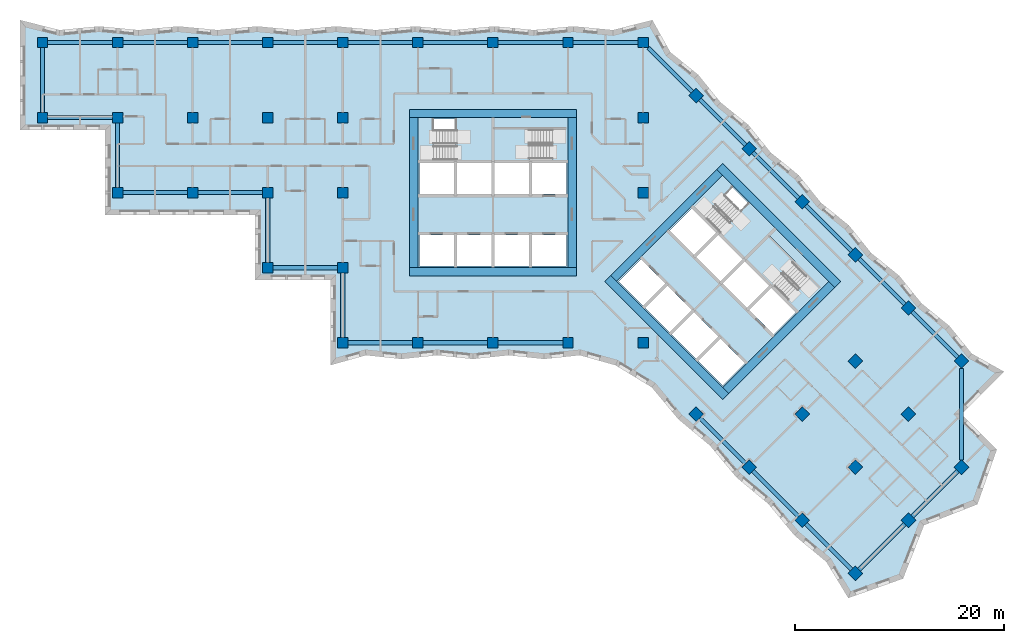
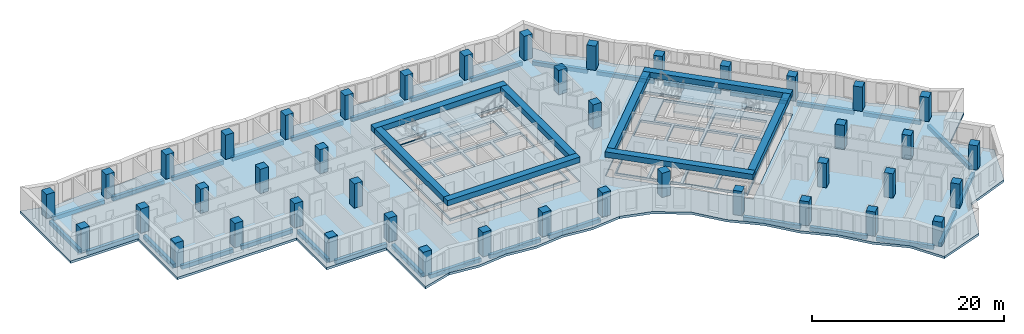
# One storey, part 1 of 12: 43 columns, 39 beams, 7 slabs, 22 openings, 4 elements without a shape of their own.
"""IFC4 building model written with IfcOpenShell, lengths in metres."""

from ifc_helpers import new_model, si_unit, direction, frame, origin, origin_2d, place, context, subcontext, project, spatial, polyline, rectangle, outline, extrude, material, layer, layer_set, material_profile, profile_set, type_object, element, aggregate, save


model = new_model("IFC4")

# Units and contexts
model_context = context("Model", 3, precision=1e-05, world=origin(), true_north=direction((0.0, 1.0)))
body_context = subcontext(model_context, "Body", "Model", "MODEL_VIEW")
ifc_project = project(units=[si_unit("LENGTHUNIT", "METRE"), si_unit("AREAUNIT", "SQUARE_METRE"), si_unit("VOLUMEUNIT", "CUBIC_METRE"), si_unit("PLANEANGLEUNIT", "RADIAN"), si_unit("MASSUNIT", "GRAM", prefix="KILO")], contexts=[model_context])

# Site, building, storey
site_placement = place(None, origin())
site = spatial("IfcSite", under=ifc_project, at=site_placement, CompositionType="ELEMENT")
building_placement = place(site_placement, origin())
building = spatial("IfcBuilding", under=site, at=building_placement, Name="Windrow Commons", CompositionType="ELEMENT")
storey_placement = place(building_placement, frame((0.0, 0.0, 88.0)))
storey = spatial("IfcBuildingStorey", under=building, at=storey_placement, Name="L23", CompositionType="ELEMENT", Elevation=88.0)

# Columns
ifc_material_1 = material(Name="Concrete C60/75", Category="concrete")
ifc_material_profile_1 = material_profile(ifc_material_1, rectangle(XDim=1.0, YDim=1.0, at=origin_2d()))
ifc_profile_set_1 = profile_set([ifc_material_profile_1], Name="Concrete C60/75")
column_type = type_object("IfcColumnType", Name="RC COLUMN 1000x1000 C60/75", PredefinedType="COLUMN", material=ifc_profile_set_1)
for number, where, z_axis, x_axis, name in (
    (1, (21.6, 64.8, 0.0), (0.0, 0.0, 1.0), (1.0, 0.0, 0.0), "C-Z2-04I"),
    (2, (21.6, 72.0, 0.0), (0.0, 0.0, 1.0), (1.0, 0.0, 0.0), "C-Z2-04J"),
    (3, (28.8, 57.6, 0.0), (0.0, 0.0, 1.0), (1.0, 0.0, 0.0), "C-Z2-05H"),
    (4, (28.8, 64.8, 0.0), (0.0, 0.0, 1.0), (1.0, 0.0, 0.0), "C-Z2-05I"),
    (5, (28.8, 72.0, 0.0), (0.0, 0.0, 1.0), (1.0, 0.0, 0.0), "C-Z2-05J"),
    (6, (36.0, 57.6, 0.0), (0.0, 0.0, 1.0), (1.0, 0.0, 0.0), "C-Z2-06H"),
    (7, (36.0, 64.8, 0.0), (0.0, 0.0, 1.0), (1.0, 0.0, 0.0), "C-Z2-06I"),
    (8, (36.0, 72.0, 0.0), (0.0, 0.0, 1.0), (1.0, 0.0, 0.0), "C-Z2-06J"),
    (9, (43.2, 50.4, 0.0), (0.0, 0.0, 1.0), (1.0, 0.0, 0.0), "C-Z2-07G"),
    (10, (43.2, 57.6, 0.0), (0.0, 0.0, 1.0), (1.0, 0.0, 0.0), "C-Z2-07H"),
    (11, (43.2, 64.8, 0.0), (0.0, 0.0, 1.0), (1.0, 0.0, 0.0), "C-Z2-07I"),
    (12, (43.2, 72.0, 0.0), (0.0, 0.0, 1.0), (1.0, 0.0, 0.0), "C-Z2-07J"),
    (13, (50.4, 43.2, 0.0), (0.0, 0.0, 1.0), (1.0, 0.0, 0.0), "C-Z2-08F"),
    (14, (50.4, 50.4, 0.0), (0.0, 0.0, 1.0), (1.0, 0.0, 0.0), "C-Z2-08G"),
    (15, (50.4, 57.6, 0.0), (0.0, 0.0, 1.0), (1.0, 0.0, 0.0), "C-Z2-08H"),
    (16, (50.4, 64.8, 0.0), (0.0, 0.0, 1.0), (1.0, 0.0, 0.0), "C-Z2-08I"),
    (17, (50.4, 72.0, 0.0), (0.0, 0.0, 1.0), (1.0, 0.0, 0.0), "C-Z2-08J"),
    (18, (57.6, 43.2, 0.0), (0.0, 0.0, 1.0), (1.0, 0.0, 0.0), "C-Z2-09F"),
    (19, (57.6, 72.0, 0.0), (0.0, 0.0, 1.0), (1.0, 0.0, 0.0), "C-Z2-09J"),
    (20, (64.8, 43.2, 0.0), (0.0, 0.0, 1.0), (1.0, 0.0, 0.0), "C-Z2-10F"),
    (21, (64.8, 72.0, 0.0), (0.0, 0.0, 1.0), (1.0, 0.0, 0.0), "C-Z2-10J"),
    (22, (72.0, 43.2, 0.0), (0.0, 0.0, 1.0), (1.0, 0.0, 0.0), "C-Z2-11F"),
    (23, (72.0, 72.0, 0.0), (0.0, 0.0, 1.0), (1.0, 0.0, 0.0), "C-Z2-11J"),
    (24, (79.2, 43.2, 0.0), (0.0, 0.0, 1.0), (1.0, 0.0, 0.0), "C-Z2-12F"),
    (25, (79.2, 57.6, 0.0), (0.0, 0.0, 1.0), (1.0, 0.0, 0.0), "C-Z2-12H"),
    (26, (79.2, 64.8, 0.0), (0.0, 0.0, 1.0), (1.0, 0.0, 0.0), "C-Z2-12I"),
    (27, (79.2, 72.0, 0.0), (0.0, 0.0, 1.0), (1.0, 0.0, 0.0), "C-Z2-12J"),
    (28, (84.2912, 66.9088, 0.0), (0.0, 0.0, 1.0), (0.7071067812, -0.7071067812, 0.0), "C-Z2-P2Q"),
    (29, (89.3823, 61.8177, 0.0), (0.0, 0.0, 1.0), (0.7071067812, -0.7071067812, 0.0), "C-Z2-P3Q"),
    (30, (94.4735, 56.7265, 0.0), (0.0, 0.0, 1.0), (0.7071067812, -0.7071067812, 0.0), "C-Z2-P4Q"),
    (31, (99.5647, 51.6353, 0.0), (0.0, 0.0, 1.0), (0.7071067812, -0.7071067812, 0.0), "C-Z2-P5Q"),
    (32, (84.2912, 36.3618, 0.0), (0.0, 0.0, 1.0), (0.7071067812, -0.7071067812, 0.0), "C-Z2-P5T"),
    (33, (104.6558, 46.5442, 0.0), (0.0, 0.0, 1.0), (0.7071067812, -0.7071067812, 0.0), "C-Z2-P6Q"),
    (34, (99.5647, 41.453, 0.0), (0.0, 0.0, 1.0), (0.7071067812, -0.7071067812, 0.0), "C-Z2-P6R"),
    (35, (94.4735, 36.3618, 0.0), (0.0, 0.0, 1.0), (0.7071067812, -0.7071067812, 0.0), "C-Z2-P6S"),
    (36, (89.3823, 31.2706, 0.0), (0.0, 0.0, 1.0), (0.7071067812, -0.7071067812, 0.0), "C-Z2-P6T"),
    (37, (109.747, 41.453, 0.0), (0.0, 0.0, 1.0), (0.7071067812, -0.7071067812, 0.0), "C-Z2-P7Q"),
    (38, (104.6558, 36.3618, 0.0), (0.0, 0.0, 1.0), (0.7071067812, -0.7071067812, 0.0), "C-Z2-P7R"),
    (39, (99.5647, 31.2706, 0.0), (0.0, 0.0, 1.0), (0.7071067812, -0.7071067812, 0.0), "C-Z2-P7S"),
    (40, (94.4735, 26.1795, 0.0), (0.0, 0.0, 1.0), (0.7071067812, -0.7071067812, 0.0), "C-Z2-P7T"),
    (41, (109.747, 31.2706, 0.0), (0.0, 0.0, 1.0), (0.7071067812, -0.7071067812, 0.0), "C-Z2-P8R"),
    (42, (104.6558, 26.1795, 0.0), (0.0, 0.0, 1.0), (0.7071067812, -0.7071067812, 0.0), "C-Z2-P8S"),
    (43, (99.5647, 21.0883, 0.0), (0.0, 0.0, 1.0), (0.7071067812, -0.7071067812, 0.0), "C-Z2-P8T"),
):
    element("IfcColumn", number, at=place(storey_placement, frame(where, z_axis=z_axis, x_axis=x_axis)), inside=storey, type_object=column_type, Name=name, PredefinedType="COLUMN", context=body_context, shape_type="SweptSolid", body=[
        extrude(rectangle(XDim=1.0, YDim=1.0, at=origin_2d()), origin(), (0.0, 0.0, 1.0), 3.1),
    ])

# Beams
ifc_material_2 = material(Name="Concrete C50/60", Category="concrete")
ifc_material_profile_2 = material_profile(ifc_material_2, rectangle(XDim=0.8, YDim=0.7, at=origin_2d()))
ifc_profile_set_2 = profile_set([ifc_material_profile_2], Name="Concrete C50/60")
beam_type_1 = type_object("IfcBeamType", Name="RC COUPLING BEAM 800x700 C50/60", PredefinedType="LINTEL", material=ifc_profile_set_2)
for number, where, z_axis, x_axis, name in (
    (44, (56.8, 50.0, 2.75), (1.0, 0.0, 0.0), (0.0, 1.0, 0.0), "Core A coupling beam outer-S"),
    (45, (56.8, 65.2, 2.75), (1.0, 0.0, 0.0), (0.0, 1.0, 0.0), "Core A coupling beam outer-N"),
):
    element("IfcBeam", number, at=place(storey_placement, frame(where, z_axis=z_axis, x_axis=x_axis)), inside=storey, type_object=beam_type_1, Name=name, PredefinedType="LINTEL", context=body_context, shape_type="SweptSolid", body=[
        extrude(rectangle(XDim=0.8, YDim=0.7, at=origin_2d()), origin(), (0.0, 0.0, 1.0), 16.0),
    ])
for number, where, z_axis, x_axis, name in (
    (46, (57.2, 50.4, 2.75), (0.0, 1.0, 0.0), (-1.0, 0.0, 0.0), "Core A coupling beam outer-W"),
    (47, (72.4, 50.4, 2.75), (0.0, 1.0, 0.0), (-1.0, 0.0, 0.0), "Core A coupling beam outer-E"),
):
    element("IfcBeam", number, at=place(storey_placement, frame(where, z_axis=z_axis, x_axis=x_axis)), inside=storey, type_object=beam_type_1, Name=name, PredefinedType="LINTEL", context=body_context, shape_type="SweptSolid", body=[
        extrude(rectangle(XDim=0.8, YDim=0.7, at=origin_2d()), origin(), (0.0, 0.0, 1.0), 14.4),
    ])
for number, where, z_axis, x_axis, name in (
    (48, (75.8059, 49.3726, 2.75), (0.7071067812, -0.7071067812, 0.0), (0.7071067812, 0.7071067812, 0.0), "Core B coupling beam outer-S"),
    (49, (86.5539, 60.1206, 2.75), (0.7071067812, -0.7071067812, 0.0), (0.7071067812, 0.7071067812, 0.0), "Core B coupling beam outer-N"),
):
    element("IfcBeam", number, at=place(storey_placement, frame(where, z_axis=z_axis, x_axis=x_axis)), inside=storey, type_object=beam_type_1, Name=name, PredefinedType="LINTEL", context=body_context, shape_type="SweptSolid", body=[
        extrude(rectangle(XDim=0.8, YDim=0.7, at=origin_2d()), origin(), (0.0, 0.0, 1.0), 16.0),
    ])
for number, where, z_axis, x_axis, name in (
    (50, (76.3716, 49.3726, 2.75), (0.7071067812, 0.7071067812, 0.0), (-0.7071067812, 0.7071067812, 0.0), "Core B coupling beam outer-W"),
    (51, (87.1196, 38.6246, 2.75), (0.7071067812, 0.7071067812, 0.0), (-0.7071067812, 0.7071067812, 0.0), "Core B coupling beam outer-E"),
):
    element("IfcBeam", number, at=place(storey_placement, frame(where, z_axis=z_axis, x_axis=x_axis)), inside=storey, type_object=beam_type_1, Name=name, PredefinedType="LINTEL", context=body_context, shape_type="SweptSolid", body=[
        extrude(rectangle(XDim=0.8, YDim=0.7, at=origin_2d()), origin(), (0.0, 0.0, 1.0), 14.3999),
    ])
ifc_material_3 = material(Name="Concrete C50/60", Category="concrete")
ifc_material_profile_3 = material_profile(ifc_material_3, rectangle(XDim=0.4, YDim=0.5, at=origin_2d()))
ifc_profile_set_3 = profile_set([ifc_material_profile_3], Name="Concrete C50/60")
beam_type_2 = type_object("IfcBeamType", Name="RC EDGE BEAM 400x500 C50/60", PredefinedType="SPANDREL", material=ifc_profile_set_3)
for number, where, z_axis, x_axis, name in (
    (52, (35.5, 57.6, -0.55), (-1.0, 0.0, 0.0), (0.0, -1.0, 0.0), "Edge beam L23 001"),
    (53, (28.8, 58.1, -0.55), (0.0, 1.0, 0.0), (-1.0, 0.0, 0.0), "Edge beam L23 002"),
    (54, (28.3, 64.8, -0.55), (-1.0, 0.0, 0.0), (0.0, -1.0, 0.0), "Edge beam L23 003"),
    (55, (21.6, 65.3, -0.55), (0.0, 1.0, 0.0), (-1.0, 0.0, 0.0), "Edge beam L23 004"),
    (56, (22.1, 72.0, -0.55), (1.0, 0.0, 0.0), (0.0, 1.0, 0.0), "Edge beam L23 005"),
    (57, (29.3, 72.0, -0.55), (1.0, 0.0, 0.0), (0.0, 1.0, 0.0), "Edge beam L23 006"),
    (58, (36.5, 72.0, -0.55), (1.0, 0.0, 0.0), (0.0, 1.0, 0.0), "Edge beam L23 007"),
    (59, (43.7, 72.0, -0.55), (1.0, 0.0, 0.0), (0.0, 1.0, 0.0), "Edge beam L23 008"),
    (60, (50.9, 72.0, -0.55), (1.0, 0.0, 0.0), (0.0, 1.0, 0.0), "Edge beam L23 009"),
    (61, (58.1, 72.0, -0.55), (1.0, 0.0, 0.0), (0.0, 1.0, 0.0), "Edge beam L23 010"),
    (62, (65.3, 72.0, -0.55), (1.0, 0.0, 0.0), (0.0, 1.0, 0.0), "Edge beam L23 011"),
    (63, (72.5, 72.0, -0.55), (1.0, 0.0, 0.0), (0.0, 1.0, 0.0), "Edge beam L23 012"),
):
    element("IfcBeam", number, at=place(storey_placement, frame(where, z_axis=z_axis, x_axis=x_axis)), inside=storey, type_object=beam_type_2, Name=name, PredefinedType="SPANDREL", context=body_context, shape_type="SweptSolid", body=[
        extrude(rectangle(XDim=0.4, YDim=0.5, at=origin_2d()), origin(), (0.0, 0.0, 1.0), 6.2),
    ])
beam_1_placement = place(storey_placement, frame((79.7, 71.5, -0.55), z_axis=(0.7071067812, -0.7071067812, 0.0), x_axis=(0.7071067812, 0.7071067812, 0.0)))
element("IfcBeam", 64, at=beam_1_placement, inside=storey, type_object=beam_type_2, Name="Edge beam L23 013", PredefinedType="SPANDREL", context=body_context, shape_type="SweptSolid", body=[
    extrude(rectangle(XDim=0.4, YDim=0.5, at=origin_2d()), origin(), (0.0, 0.0, 1.0), 5.9929),
])
beam_2_placement = place(storey_placement, frame((84.6448, 66.5552, -0.55), z_axis=(0.7071067812, -0.7071067812, 0.0), x_axis=(0.7071067812, 0.7071067812, 0.0)))
element("IfcBeam", 65, at=beam_2_placement, inside=storey, type_object=beam_type_2, Name="Edge beam L23 014", PredefinedType="SPANDREL", context=body_context, shape_type="SweptSolid", body=[
    extrude(rectangle(XDim=0.4, YDim=0.5, at=origin_2d()), origin(), (0.0, 0.0, 1.0), 6.1998),
])
for number, where, z_axis, x_axis, name in (
    (66, (89.7359, 61.4641, -0.55), (0.7071067812, -0.7071067812, 0.0), (0.7071067812, 0.7071067812, 0.0), "Edge beam L23 015"),
    (67, (94.8271, 56.3729, -0.55), (0.7071067812, -0.7071067812, 0.0), (0.7071067812, 0.7071067812, 0.0), "Edge beam L23 016"),
):
    element("IfcBeam", number, at=place(storey_placement, frame(where, z_axis=z_axis, x_axis=x_axis)), inside=storey, type_object=beam_type_2, Name=name, PredefinedType="SPANDREL", context=body_context, shape_type="SweptSolid", body=[
        extrude(rectangle(XDim=0.4, YDim=0.5, at=origin_2d()), origin(), (0.0, 0.0, 1.0), 6.1999),
    ])
beam_3_placement = place(storey_placement, frame((99.9183, 51.2817, -0.55), z_axis=(0.7071067812, -0.7071067812, 0.0), x_axis=(0.7071067812, 0.7071067812, 0.0)))
element("IfcBeam", 68, at=beam_3_placement, inside=storey, type_object=beam_type_2, Name="Edge beam L23 017", PredefinedType="SPANDREL", context=body_context, shape_type="SweptSolid", body=[
    extrude(rectangle(XDim=0.4, YDim=0.5, at=origin_2d()), origin(), (0.0, 0.0, 1.0), 6.1998),
])
beam_4_placement = place(storey_placement, frame((105.0094, 46.1906, -0.55), z_axis=(0.7071067812, -0.7071067812, 0.0), x_axis=(0.7071067812, 0.7071067812, 0.0)))
element("IfcBeam", 69, at=beam_4_placement, inside=storey, type_object=beam_type_2, Name="Edge beam L23 018", PredefinedType="SPANDREL", context=body_context, shape_type="SweptSolid", body=[
    extrude(rectangle(XDim=0.4, YDim=0.5, at=origin_2d()), origin(), (0.0, 0.0, 1.0), 6.1999),
])
beam_5_placement = place(storey_placement, frame((109.747, 40.7459, -0.55), z_axis=(0.0, -1.0, 0.0), x_axis=(1.0, 0.0, 0.0)))
element("IfcBeam", 70, at=beam_5_placement, inside=storey, type_object=beam_type_2, Name="Edge beam L23 019", PredefinedType="SPANDREL", context=body_context, shape_type="SweptSolid", body=[
    extrude(rectangle(XDim=0.4, YDim=0.5, at=origin_2d()), origin(), (0.0, 0.0, 1.0), 8.7682),
])
for number, where, z_axis, x_axis, name in (
    (71, (109.3934, 30.917, -0.55), (-0.7071148459, -0.7070987164, 0.0), (0.7070987164, -0.7071148459, 0.0), "Edge beam L23 020"),
    (72, (104.3022, 25.8259, -0.55), (-0.7070987164, -0.7071148459, 0.0), (0.7071148459, -0.7070987164, 0.0), "Edge beam L23 021"),
):
    element("IfcBeam", number, at=place(storey_placement, frame(where, z_axis=z_axis, x_axis=x_axis)), inside=storey, type_object=beam_type_2, Name=name, PredefinedType="SPANDREL", context=body_context, shape_type="SweptSolid", body=[
        extrude(rectangle(XDim=0.4, YDim=0.5, at=origin_2d()), origin(), (0.0, 0.0, 1.0), 6.1998),
    ])
beam_6_placement = place(storey_placement, frame((99.2111, 21.4419, -0.55), z_axis=(-0.7071067812, 0.7071067812, 0.0), x_axis=(-0.7071067812, -0.7071067812, 0.0)))
element("IfcBeam", 73, at=beam_6_placement, inside=storey, type_object=beam_type_2, Name="Edge beam L23 022", PredefinedType="SPANDREL", context=body_context, shape_type="SweptSolid", body=[
    extrude(rectangle(XDim=0.4, YDim=0.5, at=origin_2d()), origin(), (0.0, 0.0, 1.0), 6.1999),
])
for number, where, z_axis, x_axis, name in (
    (74, (94.1199, 26.5331, -0.55), (-0.7071148459, 0.7070987164, 0.0), (-0.7070987164, -0.7071148459, 0.0), "Edge beam L23 023"),
    (75, (89.0287, 31.6242, -0.55), (-0.7070987164, 0.7071148459, 0.0), (-0.7071148459, -0.7070987164, 0.0), "Edge beam L23 024"),
):
    element("IfcBeam", number, at=place(storey_placement, frame(where, z_axis=z_axis, x_axis=x_axis)), inside=storey, type_object=beam_type_2, Name=name, PredefinedType="SPANDREL", context=body_context, shape_type="SweptSolid", body=[
        extrude(rectangle(XDim=0.4, YDim=0.5, at=origin_2d()), origin(), (0.0, 0.0, 1.0), 6.1998),
    ])
for number, where, z_axis, x_axis, name in (
    (76, (71.5, 43.2, -0.55), (-1.0, 0.0, 0.0), (0.0, -1.0, 0.0), "Edge beam L23 025"),
    (77, (64.3, 43.2, -0.55), (-1.0, 0.0, 0.0), (0.0, -1.0, 0.0), "Edge beam L23 026"),
    (78, (57.1, 43.2, -0.55), (-1.0, 0.0, 0.0), (0.0, -1.0, 0.0), "Edge beam L23 027"),
    (79, (50.4, 43.7, -0.55), (0.0, 1.0, 0.0), (-1.0, 0.0, 0.0), "Edge beam L23 028"),
    (80, (49.9, 50.4, -0.55), (-1.0, 0.0, 0.0), (0.0, -1.0, 0.0), "Edge beam L23 029"),
    (81, (43.2, 50.9, -0.55), (0.0, 1.0, 0.0), (-1.0, 0.0, 0.0), "Edge beam L23 030"),
    (82, (42.7, 57.6, -0.55), (-1.0, 0.0, 0.0), (0.0, -1.0, 0.0), "Edge beam L23 031"),
):
    element("IfcBeam", number, at=place(storey_placement, frame(where, z_axis=z_axis, x_axis=x_axis)), inside=storey, type_object=beam_type_2, Name=name, PredefinedType="SPANDREL", context=body_context, shape_type="SweptSolid", body=[
        extrude(rectangle(XDim=0.4, YDim=0.5, at=origin_2d()), origin(), (0.0, 0.0, 1.0), 6.2),
    ])

# Slab, openings
ifc_material_4 = material(Name="Concrete C50/60", Category="concrete")
ifc_layer_1 = layer(ifc_material_4, 0.3)
ifc_layer_set_1 = layer_set([ifc_layer_1], Name="CORE FLOOR SLAB 300 C50/60")
slab_type_1 = type_object("IfcSlabType", Name="CORE FLOOR SLAB 300 C50/60", PredefinedType="FLOOR", material=ifc_layer_set_1)
placement_1 = place(storey_placement, frame((0.0, 0.0, -0.3)))
slab_1 = element("IfcSlab", 83, at=placement_1, inside=storey, type_object=slab_type_1, Name="S-L23-core-A", PredefinedType="FLOOR", context=body_context, shape_type="SweptSolid", body=[
    extrude(outline(polyline([(57.6, 50.4), (72.0, 50.4), (72.0, 64.8), (57.6, 64.8), (57.6, 50.4)]), holes=[polyline([(57.75, 50.55), (61.05, 50.55), (61.05, 53.55), (57.75, 53.55), (57.75, 50.55)]), polyline([(61.35, 50.55), (64.65, 50.55), (64.65, 53.55), (61.35, 53.55), (61.35, 50.55)]), polyline([(64.95, 50.55), (68.25, 50.55), (68.25, 53.55), (64.95, 53.55), (64.95, 50.55)]), polyline([(68.55, 50.55), (71.85, 50.55), (71.85, 53.55), (68.55, 53.55), (68.55, 50.55)]), polyline([(57.75, 57.45), (61.05, 57.45), (61.05, 60.45), (57.75, 60.45), (57.75, 57.45)]), polyline([(61.35, 57.45), (64.65, 57.45), (64.65, 60.45), (61.35, 60.45), (61.35, 57.45)]), polyline([(64.95, 57.45), (68.25, 57.45), (68.25, 60.45), (64.95, 60.45), (64.95, 57.45)]), polyline([(68.55, 57.45), (71.85, 57.45), (71.85, 60.45), (68.55, 60.45), (68.55, 57.45)]), polyline([(59.1, 60.75), (64.65, 60.75), (64.65, 64.65), (59.1, 64.65), (59.1, 60.75)]), polyline([(64.95, 60.75), (70.5, 60.75), (70.5, 63.705), (64.95, 63.705), (64.95, 60.75)])]), origin(), (0.0, 0.0, 1.0), 0.3),
])
opening_1_placement = place(placement_1, origin())
element("IfcOpeningElement", 84, at=opening_1_placement, cuts=slab_1, Name="Slab opening S-L23-core-A 1", PredefinedType="OPENING", context=body_context, shape_type="SweptSolid", body=[
    extrude(outline(polyline([(57.755, 50.555), (57.755, 53.545), (61.045, 53.545), (61.045, 50.555), (57.755, 50.555)])), origin(), (0.0, 0.0, 1.0), 0.3),
])
opening_2_placement = place(placement_1, origin())
element("IfcOpeningElement", 85, at=opening_2_placement, cuts=slab_1, Name="Slab opening S-L23-core-A 2", PredefinedType="OPENING", context=body_context, shape_type="SweptSolid", body=[
    extrude(outline(polyline([(61.355, 50.555), (61.355, 53.545), (64.645, 53.545), (64.645, 50.555), (61.355, 50.555)])), origin(), (0.0, 0.0, 1.0), 0.3),
])
opening_3_placement = place(placement_1, origin())
element("IfcOpeningElement", 86, at=opening_3_placement, cuts=slab_1, Name="Slab opening S-L23-core-A 3", PredefinedType="OPENING", context=body_context, shape_type="SweptSolid", body=[
    extrude(outline(polyline([(64.955, 50.555), (64.955, 53.545), (68.245, 53.545), (68.245, 50.555), (64.955, 50.555)])), origin(), (0.0, 0.0, 1.0), 0.3),
])
opening_4_placement = place(placement_1, origin())
element("IfcOpeningElement", 87, at=opening_4_placement, cuts=slab_1, Name="Slab opening S-L23-core-A 4", PredefinedType="OPENING", context=body_context, shape_type="SweptSolid", body=[
    extrude(outline(polyline([(68.555, 50.555), (68.555, 53.545), (71.845, 53.545), (71.845, 50.555), (68.555, 50.555)])), origin(), (0.0, 0.0, 1.0), 0.3),
])
opening_5_placement = place(placement_1, origin())
element("IfcOpeningElement", 88, at=opening_5_placement, cuts=slab_1, Name="Slab opening S-L23-core-A 5", PredefinedType="OPENING", context=body_context, shape_type="SweptSolid", body=[
    extrude(outline(polyline([(57.755, 57.455), (57.755, 60.445), (61.045, 60.445), (61.045, 57.455), (57.755, 57.455)])), origin(), (0.0, 0.0, 1.0), 0.3),
])
opening_6_placement = place(placement_1, origin())
element("IfcOpeningElement", 89, at=opening_6_placement, cuts=slab_1, Name="Slab opening S-L23-core-A 6", PredefinedType="OPENING", context=body_context, shape_type="SweptSolid", body=[
    extrude(outline(polyline([(61.355, 57.455), (61.355, 60.445), (64.645, 60.445), (64.645, 57.455), (61.355, 57.455)])), origin(), (0.0, 0.0, 1.0), 0.3),
])
opening_7_placement = place(placement_1, origin())
element("IfcOpeningElement", 90, at=opening_7_placement, cuts=slab_1, Name="Slab opening S-L23-core-A 7", PredefinedType="OPENING", context=body_context, shape_type="SweptSolid", body=[
    extrude(outline(polyline([(64.955, 57.455), (64.955, 60.445), (68.245, 60.445), (68.245, 57.455), (64.955, 57.455)])), origin(), (0.0, 0.0, 1.0), 0.3),
])
opening_8_placement = place(placement_1, origin())
element("IfcOpeningElement", 91, at=opening_8_placement, cuts=slab_1, Name="Slab opening S-L23-core-A 8", PredefinedType="OPENING", context=body_context, shape_type="SweptSolid", body=[
    extrude(outline(polyline([(68.555, 57.455), (68.555, 60.445), (71.845, 60.445), (71.845, 57.455), (68.555, 57.455)])), origin(), (0.0, 0.0, 1.0), 0.3),
])
opening_9_placement = place(placement_1, origin())
element("IfcOpeningElement", 92, at=opening_9_placement, cuts=slab_1, Name="Slab opening S-L23-core-A 9", PredefinedType="OPENING", context=body_context, shape_type="SweptSolid", body=[
    extrude(outline(polyline([(59.105, 60.755), (59.105, 64.645), (64.645, 64.645), (64.645, 60.755), (59.105, 60.755)])), origin(), (0.0, 0.0, 1.0), 0.3),
])
opening_10_placement = place(placement_1, origin())
element("IfcOpeningElement", 93, at=opening_10_placement, cuts=slab_1, Name="Slab opening S-L23-core-A 10", PredefinedType="OPENING", context=body_context, shape_type="SweptSolid", body=[
    extrude(outline(polyline([(64.955, 60.755), (64.955, 63.7), (70.495, 63.7), (70.495, 60.755), (64.955, 60.755)])), origin(), (0.0, 0.0, 1.0), 0.3),
])

slab_2 = element("IfcSlab", 94, at=placement_1, inside=storey, type_object=slab_type_1, Name="S-L23-core-B", PredefinedType="FLOOR", context=body_context, shape_type="SweptSolid", body=[
    extrude(outline(polyline([(76.6544, 49.0897), (86.8368, 38.9074), (97.0191, 49.0897), (86.8368, 59.2721), (76.6544, 49.0897)]), holes=[polyline([(76.8665, 49.0897), (79.2, 46.7563), (81.3213, 48.8776), (78.9879, 51.2111), (76.8665, 49.0897)]), polyline([(79.4121, 46.5442), (81.7456, 44.2107), (83.8669, 46.332), (81.5335, 48.6655), (79.4121, 46.5442)]), polyline([(81.9577, 43.9986), (84.2912, 41.6651), (86.4125, 43.7864), (84.079, 46.1199), (81.9577, 43.9986)]), polyline([(84.5033, 41.453), (86.8368, 39.1195), (88.9581, 41.2409), (86.6246, 43.5743), (84.5033, 41.453)]), polyline([(81.7456, 53.9688), (84.079, 51.6353), (86.2004, 53.7566), (83.8669, 56.0901), (81.7456, 53.9688)]), polyline([(84.2912, 51.4232), (86.6246, 49.0897), (88.7459, 51.2111), (86.4125, 53.5445), (84.2912, 51.4232)]), polyline([(86.8368, 48.8776), (89.1702, 46.5442), (91.2915, 48.6655), (88.9581, 50.9989), (86.8368, 48.8776)]), polyline([(89.3823, 46.332), (91.7158, 43.9986), (93.8371, 46.1199), (91.5037, 48.4533), (89.3823, 46.332)]), polyline([(85.0336, 55.3476), (88.9581, 51.4232), (91.7158, 54.1809), (87.7913, 58.1054), (85.0336, 55.3476)]), polyline([(89.1702, 51.2111), (93.0946, 47.2866), (95.1841, 49.3761), (91.2597, 53.3006), (89.1702, 51.2111)])]), origin(), (0.0, 0.0, 1.0), 0.3),
])
opening_11_placement = place(placement_1, origin())
element("IfcOpeningElement", 95, at=opening_11_placement, cuts=slab_2, Name="Slab opening S-L23-core-B 1", PredefinedType="OPENING", context=body_context, shape_type="SweptSolid", body=[
    extrude(outline(polyline([(76.8736, 49.0897), (78.9879, 51.204), (81.3142, 48.8776), (79.2, 46.7634), (76.8736, 49.0897)])), origin(), (0.0, 0.0, 1.0), 0.3),
])
opening_12_placement = place(placement_1, origin())
element("IfcOpeningElement", 96, at=opening_12_placement, cuts=slab_2, Name="Slab opening S-L23-core-B 2", PredefinedType="OPENING", context=body_context, shape_type="SweptSolid", body=[
    extrude(outline(polyline([(79.4192, 46.5442), (81.5335, 48.6584), (83.8598, 46.332), (81.7456, 44.2178), (79.4192, 46.5442)])), origin(), (0.0, 0.0, 1.0), 0.3),
])
opening_13_placement = place(placement_1, origin())
element("IfcOpeningElement", 97, at=opening_13_placement, cuts=slab_2, Name="Slab opening S-L23-core-B 3", PredefinedType="OPENING", context=body_context, shape_type="SweptSolid", body=[
    extrude(outline(polyline([(81.9648, 43.9986), (84.079, 46.1128), (86.4054, 43.7864), (84.2912, 41.6722), (81.9648, 43.9986)])), origin(), (0.0, 0.0, 1.0), 0.3),
])
opening_14_placement = place(placement_1, origin())
element("IfcOpeningElement", 98, at=opening_14_placement, cuts=slab_2, Name="Slab opening S-L23-core-B 4", PredefinedType="OPENING", context=body_context, shape_type="SweptSolid", body=[
    extrude(outline(polyline([(84.5104, 41.453), (86.6246, 43.5672), (88.951, 41.2409), (86.8368, 39.1266), (84.5104, 41.453)])), origin(), (0.0, 0.0, 1.0), 0.3),
])
opening_15_placement = place(placement_1, origin())
element("IfcOpeningElement", 99, at=opening_15_placement, cuts=slab_2, Name="Slab opening S-L23-core-B 5", PredefinedType="OPENING", context=body_context, shape_type="SweptSolid", body=[
    extrude(outline(polyline([(81.7527, 53.9688), (83.8669, 56.083), (86.1933, 53.7566), (84.079, 51.6424), (81.7527, 53.9688)])), origin(), (0.0, 0.0, 1.0), 0.3),
])
opening_16_placement = place(placement_1, origin())
element("IfcOpeningElement", 100, at=opening_16_placement, cuts=slab_2, Name="Slab opening S-L23-core-B 6", PredefinedType="OPENING", context=body_context, shape_type="SweptSolid", body=[
    extrude(outline(polyline([(84.2983, 51.4232), (86.4125, 53.5374), (88.7388, 51.2111), (86.6246, 49.0968), (84.2983, 51.4232)])), origin(), (0.0, 0.0, 1.0), 0.3),
])
opening_17_placement = place(placement_1, origin())
element("IfcOpeningElement", 101, at=opening_17_placement, cuts=slab_2, Name="Slab opening S-L23-core-B 7", PredefinedType="OPENING", context=body_context, shape_type="SweptSolid", body=[
    extrude(outline(polyline([(86.8439, 48.8776), (88.9581, 50.9918), (91.2844, 48.6655), (89.1702, 46.5513), (86.8439, 48.8776)])), origin(), (0.0, 0.0, 1.0), 0.3),
])
opening_18_placement = place(placement_1, origin())
element("IfcOpeningElement", 102, at=opening_18_placement, cuts=slab_2, Name="Slab opening S-L23-core-B 8", PredefinedType="OPENING", context=body_context, shape_type="SweptSolid", body=[
    extrude(outline(polyline([(89.3894, 46.332), (91.5037, 48.4462), (93.83, 46.1199), (91.7158, 44.0057), (89.3894, 46.332)])), origin(), (0.0, 0.0, 1.0), 0.3),
])
opening_19_placement = place(placement_1, origin())
element("IfcOpeningElement", 103, at=opening_19_placement, cuts=slab_2, Name="Slab opening S-L23-core-B 9", PredefinedType="OPENING", context=body_context, shape_type="SweptSolid", body=[
    extrude(outline(polyline([(85.0407, 55.3476), (87.7913, 58.0983), (91.7087, 54.1809), (88.9581, 51.4303), (85.0407, 55.3476)])), origin(), (0.0, 0.0, 1.0), 0.3),
])
opening_20_placement = place(placement_1, origin())
element("IfcOpeningElement", 104, at=opening_20_placement, cuts=slab_2, Name="Slab opening S-L23-core-B 10", PredefinedType="OPENING", context=body_context, shape_type="SweptSolid", body=[
    extrude(outline(polyline([(89.1773, 51.2111), (91.2597, 53.2935), (95.177, 49.3761), (93.0946, 47.2937), (89.1773, 51.2111)])), origin(), (0.0, 0.0, 1.0), 0.3),
])

# Stair, slab
ifc_material_5 = material(Name="Concrete C40/50", Category="concrete")
stair_type = type_object("IfcStairType", Name="Core stair", PredefinedType="HALF_TURN_STAIR", material=ifc_material_5)
placement_2 = place(storey_placement, origin())
stair_1 = element("IfcStair", 105, at=placement_2, inside=storey, type_object=stair_type, Name="L23 Exit stair A1 core A", PredefinedType="HALF_TURN_STAIR")
ifc_material_6 = material(Name="Concrete C40/50", Category="concrete")
ifc_layer_2 = layer(ifc_material_6, 0.2)
ifc_layer_set_2 = layer_set([ifc_layer_2], Name="Core stair landing")
slab_type_2 = type_object("IfcSlabType", Name="Core stair landing", PredefinedType="LANDING", material=ifc_layer_set_2)
placement_3 = place(storey_placement, frame((0.0, 0.0, 1.5)))
slab_3 = element("IfcSlab", 106, at=placement_3, type_object=slab_type_2, Name="ST-A1 landing 1", PredefinedType="LANDING", context=body_context, shape_type="SweptSolid", body=[
    extrude(outline(polyline([(61.22, 60.5), (64.8, 60.5), (64.8, 64.9), (61.22, 64.9), (61.22, 60.5)])), origin(), (0.0, 0.0, 1.0), 0.2),
])
aggregate(stair_1, [slab_3])

stair_2 = element("IfcStair", 107, at=placement_2, inside=storey, type_object=stair_type, Name="L23 Exit stair A2 core A", PredefinedType="HALF_TURN_STAIR")
slab_4 = element("IfcSlab", 108, at=placement_3, type_object=slab_type_2, Name="ST-A2 landing 1", PredefinedType="LANDING", context=body_context, shape_type="SweptSolid", body=[
    extrude(outline(polyline([(64.8, 60.5), (68.38, 60.5), (68.38, 63.855), (64.8, 63.855), (64.8, 60.5)])), origin(), (0.0, 0.0, 1.0), 0.2),
])
aggregate(stair_2, [slab_4])

stair_3 = element("IfcStair", 109, at=placement_2, inside=storey, type_object=stair_type, Name="L23 Exit stair B1 core B", PredefinedType="HALF_TURN_STAIR")
slab_5 = element("IfcSlab", 110, at=placement_3, type_object=slab_type_2, Name="ST-B1 landing 1", PredefinedType="LANDING", context=body_context, shape_type="SweptSolid", body=[
    extrude(outline(polyline([(86.3559, 53.6718), (88.8874, 51.1403), (91.9986, 54.2516), (89.4672, 56.7831), (86.3559, 53.6718)])), origin(), (0.0, 0.0, 1.0), 0.2),
])
aggregate(stair_3, [slab_5])

stair_4 = element("IfcStair", 111, at=placement_2, inside=storey, type_object=stair_type, Name="L23 Exit stair B2 core B", PredefinedType="HALF_TURN_STAIR")
slab_6 = element("IfcSlab", 112, at=placement_3, type_object=slab_type_2, Name="ST-B2 landing 1", PredefinedType="LANDING", context=body_context, shape_type="SweptSolid", body=[
    extrude(outline(polyline([(88.8874, 51.1403), (91.4188, 48.6089), (93.7911, 50.9812), (91.2597, 53.5127), (88.8874, 51.1403)])), origin(), (0.0, 0.0, 1.0), 0.2),
])
aggregate(stair_4, [slab_6])

# Slab, openings
ifc_material_7 = material(Name="Concrete C50/60", Category="concrete")
ifc_layer_3 = layer(ifc_material_7, 0.3)
ifc_layer_set_3 = layer_set([ifc_layer_3], Name="FLOOR SLAB 300 C50/60")
slab_type_3 = type_object("IfcSlabType", Name="FLOOR SLAB 300 C50/60", PredefinedType="FLOOR", material=ifc_layer_set_3)
slab_7 = element("IfcSlab", 113, at=placement_1, inside=storey, type_object=slab_type_3, Name="S-L23-floor", PredefinedType="FLOOR", context=body_context, shape_type="SweptSolid", body=[
    extrude(outline(polyline([(96.7738, 22.1822), (98.8852, 18.7118), (104.1462, 20.5787), (106.1546, 25.6983), (111.2742, 27.7067), (113.1411, 32.9677), (109.747, 36.3618), (113.8206, 40.4354), (110.7321, 42.1649), (108.5784, 44.8291), (105.9142, 46.9828), (103.7605, 49.647), (101.0963, 51.8007), (98.9426, 54.465), (96.2784, 56.6187), (94.1247, 59.2829), (91.4604, 61.4366), (89.3067, 64.1009), (86.6425, 66.2546), (84.4888, 68.9188), (81.8246, 71.0725), (80.0952, 74.161), (76.3042, 73.2), (72.5131, 73.561), (68.7221, 73.2), (64.9311, 73.561), (61.1401, 73.2), (57.3491, 73.561), (53.5581, 73.2), (49.7671, 73.561), (45.9761, 73.2), (42.1851, 73.561), (38.3941, 73.2), (34.603, 73.561), (30.812, 73.2), (27.021, 73.561), (23.23, 73.2), (19.439, 74.161), (19.439, 63.6), (27.6, 63.6), (27.6, 55.439), (42.0, 55.439), (42.0, 49.2), (49.2, 49.2), (49.2, 41.039), (52.6197, 42.0), (56.0395, 41.639), (59.4592, 42.0), (62.8789, 41.639), (66.2987, 42.0), (69.7184, 41.639), (73.1381, 42.0), (76.5578, 41.039), (80.0283, 38.9276), (82.5639, 35.8815), (85.6101, 33.3458), (88.1458, 30.2997), (91.192, 27.764), (93.7276, 24.7178), (96.7738, 22.1822)]), holes=[polyline([(75.523, 49.0897), (86.8368, 60.4034), (98.1505, 49.0897), (86.8368, 37.776), (75.523, 49.0897)]), polyline([(56.8, 49.6), (56.8, 65.6), (72.8, 65.6), (72.8, 49.6), (56.8, 49.6)])]), origin(), (0.0, 0.0, 1.0), 0.3),
])
opening_21_placement = place(placement_1, origin())
element("IfcOpeningElement", 114, at=opening_21_placement, cuts=slab_7, Name="Slab opening S-L23-floor 1", PredefinedType="OPENING", context=body_context, shape_type="SweptSolid", body=[
    extrude(outline(polyline([(75.5301, 49.0897), (86.8368, 60.3963), (98.1434, 49.0897), (86.8368, 37.7831), (75.5301, 49.0897)])), origin(), (0.0, 0.0, 1.0), 0.3),
])
opening_22_placement = place(placement_1, origin())
element("IfcOpeningElement", 115, at=opening_22_placement, cuts=slab_7, Name="Slab opening S-L23-floor 2", PredefinedType="OPENING", context=body_context, shape_type="SweptSolid", body=[
    extrude(outline(polyline([(56.805, 49.605), (56.805, 65.595), (72.795, 65.595), (72.795, 49.605), (56.805, 49.605)])), origin(), (0.0, 0.0, 1.0), 0.3),
])

save(model, "model.ifc")
